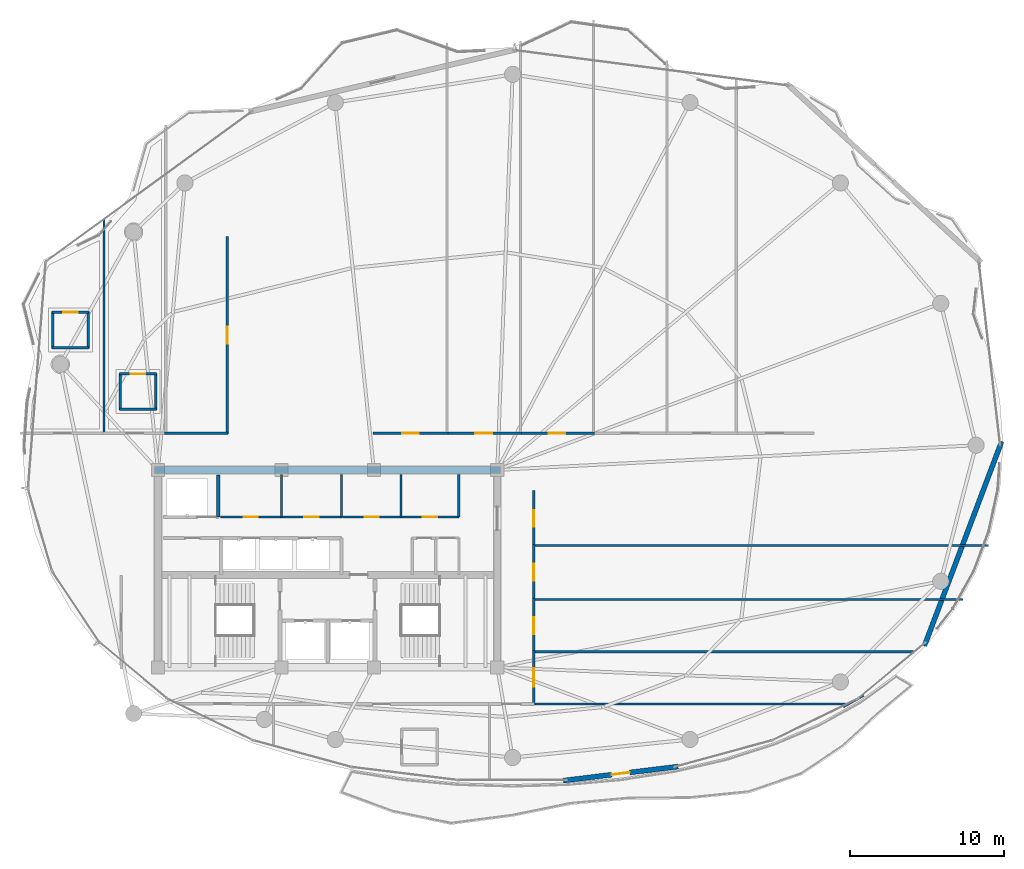
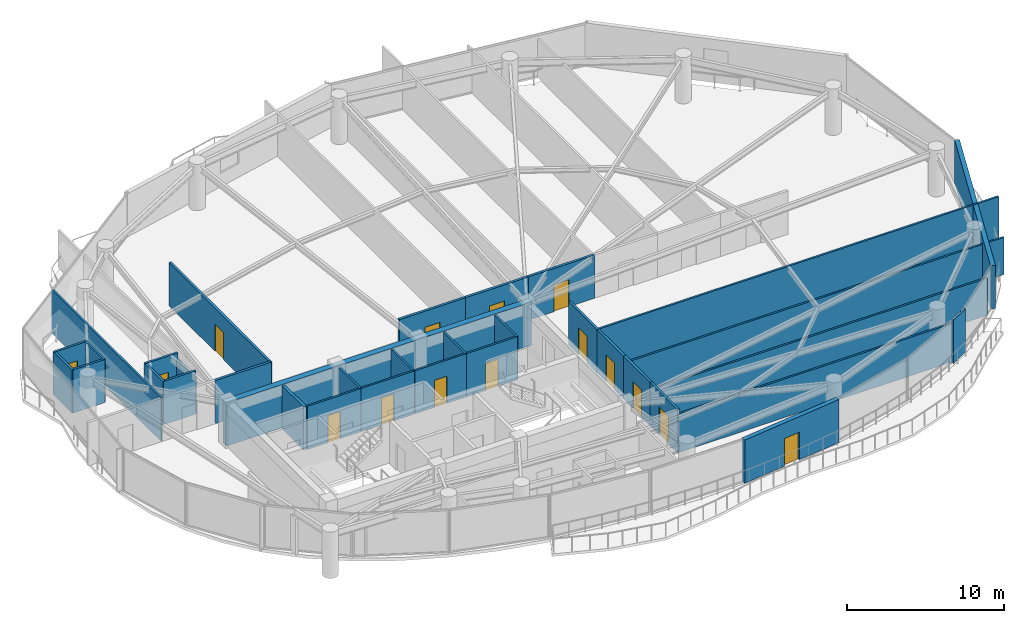
# One storey, part 26 of 31: 35 walls, 15 doors, 15 openings.
"""IFC4 building model written with IfcOpenShell, lengths in metres."""

from ifc_helpers import new_model, si_unit, direction, frame, frame_2d, origin, place, context, subcontext, project, spatial, rectangle, extrude, material, layer, layer_set, type_object, element, fill, save


model = new_model("IFC4")

# Units and contexts
model_context = context("Model", 3, precision=1e-05, world=origin(), true_north=direction((0.0, 1.0)))
body_context = subcontext(model_context, "Body", "Model", "MODEL_VIEW")
ifc_project = project(units=[si_unit("LENGTHUNIT", "METRE"), si_unit("AREAUNIT", "SQUARE_METRE"), si_unit("VOLUMEUNIT", "CUBIC_METRE"), si_unit("PLANEANGLEUNIT", "RADIAN"), si_unit("MASSUNIT", "GRAM", prefix="KILO")], contexts=[model_context])

# Site, building, storey
site_placement = place(None, origin())
site = spatial("IfcSite", under=ifc_project, at=site_placement, CompositionType="ELEMENT")
building_placement = place(site_placement, origin())
building = spatial("IfcBuilding", under=site, at=building_placement, Name="Kazevale Care Tower and Concert Hall", CompositionType="ELEMENT")
storey_placement = place(building_placement, frame((0.0, 0.0, 210.0)))
storey = spatial("IfcBuildingStorey", under=building, at=storey_placement, Name="L55", CompositionType="ELEMENT", Elevation=210.0)

# Wall, opening, door
ifc_material_1 = material(Name="Acoustic Gypsum on Steel Stud", Category="steel")
ifc_layer_1 = layer(ifc_material_1, 0.139892578125)
ifc_layer_set_1 = layer_set([ifc_layer_1], Name="Acoustic Gypsum on Steel Stud")
wall_type_1 = type_object("IfcWallType", Name="Acoustic Care & Suite Partition 140", PredefinedType="PARTITIONING", material=ifc_layer_set_1)
wall_1_placement = place(storey_placement, frame((26.050048828125, 33.35009765625, 0.0), z_axis=(0.0, 0.0, 1.0), x_axis=(1.0, 0.0, 0.0)))
wall_1 = element("IfcWall", 1, at=wall_1_placement, inside=storey, type_object=wall_type_1, Name="wall:L55:c_rpl1_s", PredefinedType="PARTITIONING", context=body_context, shape_type="SweptSolid", body=[
    extrude(rectangle(XDim=3.949951171875, YDim=0.139892578125, at=frame_2d((1.97509765625, 0.0))), origin(), (0.0, 0.0, 1.0), 3.360107421875),
])
opening_1_placement = place(wall_1_placement, frame((1.514892578125, 0.0, 0.0)))
opening_1 = element("IfcOpeningElement", 2, at=opening_1_placement, cuts=wall_1, Name="Opening ID-900", PredefinedType="OPENING", context=body_context, shape_type="SweptSolid", body=[
    extrude(rectangle(XDim=0.919921875, YDim=2.10009765625, at=frame_2d((0.4599609375, 1.050048828125))), frame((0.0, 0.079833984375, 0.0), z_axis=(0.0, -1.0, 0.0), x_axis=(1.0, 0.0, 0.0)), (0.0, 0.0, 1.0), 0.159912109375),
])
ifc_material_2 = material(Name="Oak Timber Fire Leaf", Category="wood")
door_type_1 = type_object("IfcDoorType", Name="Bathroom & Service Door 920x2100", OperationType="NOTDEFINED", PredefinedType="DOOR", material=ifc_material_2)
door_1_placement = place(opening_1_placement, origin())
door_1 = element("IfcDoor", 3, at=door_1_placement, inside=storey, type_object=door_type_1, Name="door:L55:d_rpl1", OperationType="SINGLE_SWING_LEFT", OverallHeight=2.10009765625, OverallWidth=0.919921875, PredefinedType="DOOR", context=body_context, shape_type="SweptSolid", body=[
    extrude(rectangle(XDim=0.919921875, YDim=2.10009765625, at=frame_2d((0.4599609375, 1.050048828125))), frame((0.0, 0.02490234375, 0.0), z_axis=(0.0, -1.0, 0.0), x_axis=(1.0, 0.0, 0.0)), (0.0, 0.0, 1.0), 0.050048828125),
])
fill(opening_1, door_1)

wall_2_placement = place(storey_placement, frame((30.0, 33.35009765625, 0.0), z_axis=(0.0, 0.0, 1.0), x_axis=(1.0, 0.0, 0.0)))
wall_2 = element("IfcWall", 4, at=wall_2_placement, inside=storey, type_object=wall_type_1, Name="wall:L55:c_rpl2_s", PredefinedType="PARTITIONING", context=body_context, shape_type="SweptSolid", body=[
    extrude(rectangle(XDim=3.919921875, YDim=0.139892578125, at=frame_2d((1.9599609375, 0.0))), origin(), (0.0, 0.0, 1.0), 3.360107421875),
])
opening_2_placement = place(wall_2_placement, frame((1.5, 0.0, 0.0)))
opening_2 = element("IfcOpeningElement", 5, at=opening_2_placement, cuts=wall_2, Name="Opening ID-900", PredefinedType="OPENING", context=body_context, shape_type="SweptSolid", body=[
    extrude(rectangle(XDim=0.919921875, YDim=2.10009765625, at=frame_2d((0.4599609375, 1.050048828125))), frame((0.0, 0.079833984375, 0.0), z_axis=(0.0, -1.0, 0.0), x_axis=(1.0, 0.0, 0.0)), (0.0, 0.0, 1.0), 0.159912109375),
])
door_2_placement = place(opening_2_placement, origin())
door_2 = element("IfcDoor", 6, at=door_2_placement, inside=storey, type_object=door_type_1, Name="door:L55:d_rpl2", OperationType="SINGLE_SWING_RIGHT", OverallHeight=2.10009765625, OverallWidth=0.919921875, PredefinedType="DOOR", context=body_context, shape_type="SweptSolid", body=[
    extrude(rectangle(XDim=0.919921875, YDim=2.10009765625, at=frame_2d((0.4599609375, 1.050048828125))), frame((0.0, 0.02490234375, 0.0), z_axis=(0.0, -1.0, 0.0), x_axis=(1.0, 0.0, 0.0)), (0.0, 0.0, 1.0), 0.050048828125),
])
fill(opening_2, door_2)

# Walls
for number, where, z_axis, x_axis, name in (
    (7, (30.0, 33.35009765625, 0.0), (0.0, 0.0, 1.0), (0.0, 1.0, 0.0), "wall:L55:c_rpl_m"),
    (8, (33.89990234375, 33.35009765625, 0.0), (0.0, 0.0, 1.0), (0.0, 1.0, 0.0), "wall:L55:c_rpl_e"),
):
    element("IfcWall", number, at=place(storey_placement, frame(where, z_axis=z_axis, x_axis=x_axis)), inside=storey, type_object=wall_type_1, Name=name, PredefinedType="PARTITIONING", context=body_context, shape_type="SweptSolid", body=[
        extrude(rectangle(XDim=2.75, YDim=0.139892578125, at=frame_2d((1.375, 0.0))), origin(), (0.0, 0.0, 1.0), 3.360107421875),
    ])

# Wall, opening, door
wall_3_placement = place(storey_placement, frame((33.97998046875, 33.35009765625, 0.0), z_axis=(0.0, 0.0, 1.0), x_axis=(1.0, 0.0, 0.0)))
wall_3 = element("IfcWall", 9, at=wall_3_placement, inside=storey, type_object=wall_type_1, Name="wall:L55:c_rpm1_s", PredefinedType="PARTITIONING", context=body_context, shape_type="SweptSolid", body=[
    extrude(rectangle(XDim=3.77001953125, YDim=0.139892578125, at=frame_2d((1.885009765625, 0.0))), origin(), (0.0, 0.0, 1.0), 3.360107421875),
])
opening_3_placement = place(wall_3_placement, frame((1.425048828125, 0.0, 0.0)))
opening_3 = element("IfcOpeningElement", 10, at=opening_3_placement, cuts=wall_3, Name="Opening ID-900", PredefinedType="OPENING", context=body_context, shape_type="SweptSolid", body=[
    extrude(rectangle(XDim=0.919921875, YDim=2.10009765625, at=frame_2d((0.4599609375, 1.050048828125))), frame((0.0, 0.079833984375, 0.0), z_axis=(0.0, -1.0, 0.0), x_axis=(1.0, 0.0, 0.0)), (0.0, 0.0, 1.0), 0.159912109375),
])
door_3_placement = place(opening_3_placement, origin())
door_3 = element("IfcDoor", 11, at=door_3_placement, inside=storey, type_object=door_type_1, Name="door:L55:d_rpm1", OperationType="SINGLE_SWING_LEFT", OverallHeight=2.10009765625, OverallWidth=0.919921875, PredefinedType="DOOR", context=body_context, shape_type="SweptSolid", body=[
    extrude(rectangle(XDim=0.919921875, YDim=2.10009765625, at=frame_2d((0.4599609375, 1.050048828125))), frame((0.0, 0.02490234375, 0.0), z_axis=(0.0, -1.0, 0.0), x_axis=(1.0, 0.0, 0.0)), (0.0, 0.0, 1.0), 0.050048828125),
])
fill(opening_3, door_3)

wall_4_placement = place(storey_placement, frame((37.75, 33.35009765625, 0.0), z_axis=(0.0, 0.0, 1.0), x_axis=(1.0, 0.0, 0.0)))
wall_4 = element("IfcWall", 12, at=wall_4_placement, inside=storey, type_object=wall_type_1, Name="wall:L55:c_rpm2_s", PredefinedType="PARTITIONING", context=body_context, shape_type="SweptSolid", body=[
    extrude(rectangle(XDim=3.77001953125, YDim=0.139892578125, at=frame_2d((1.885009765625, 0.0))), origin(), (0.0, 0.0, 1.0), 3.360107421875),
])
opening_4_placement = place(wall_4_placement, frame((1.425048828125, 0.0, 0.0)))
opening_4 = element("IfcOpeningElement", 13, at=opening_4_placement, cuts=wall_4, Name="Opening ID-900", PredefinedType="OPENING", context=body_context, shape_type="SweptSolid", body=[
    extrude(rectangle(XDim=0.919921875, YDim=2.10009765625, at=frame_2d((0.4599609375, 1.050048828125))), frame((0.0, 0.079833984375, 0.0), z_axis=(0.0, -1.0, 0.0), x_axis=(1.0, 0.0, 0.0)), (0.0, 0.0, 1.0), 0.159912109375),
])
door_4_placement = place(opening_4_placement, origin())
door_4 = element("IfcDoor", 14, at=door_4_placement, inside=storey, type_object=door_type_1, Name="door:L55:d_rpm2", OperationType="SINGLE_SWING_RIGHT", OverallHeight=2.10009765625, OverallWidth=0.919921875, PredefinedType="DOOR", context=body_context, shape_type="SweptSolid", body=[
    extrude(rectangle(XDim=0.919921875, YDim=2.10009765625, at=frame_2d((0.4599609375, 1.050048828125))), frame((0.0, 0.02490234375, 0.0), z_axis=(0.0, -1.0, 0.0), x_axis=(1.0, 0.0, 0.0)), (0.0, 0.0, 1.0), 0.050048828125),
])
fill(opening_4, door_4)

# Walls
for number, where, z_axis, x_axis, name in (
    (15, (37.75, 33.35009765625, 0.0), (0.0, 0.0, 1.0), (0.0, 1.0, 0.0), "wall:L55:c_rpm_m"),
    (16, (41.5, 33.35009765625, 0.0), (0.0, 0.0, 1.0), (0.0, 1.0, 0.0), "wall:L55:c_rpm_e"),
):
    element("IfcWall", number, at=place(storey_placement, frame(where, z_axis=z_axis, x_axis=x_axis)), inside=storey, type_object=wall_type_1, Name=name, PredefinedType="PARTITIONING", context=body_context, shape_type="SweptSolid", body=[
        extrude(rectangle(XDim=2.75, YDim=0.139892578125, at=frame_2d((1.375, 0.0))), origin(), (0.0, 0.0, 1.0), 3.360107421875),
    ])
wall_5_placement = place(storey_placement, frame((18.5, 52.64501953125, 0.0), z_axis=(0.0, 0.0, 1.0), x_axis=(0.0, -1.0, 0.0)))
element("IfcWall", 17, at=wall_5_placement, inside=storey, type_object=wall_type_1, Name="wall:L55:auto_019", PredefinedType="PARTITIONING", context=body_context, shape_type="SweptSolid", body=[
    extrude(rectangle(XDim=13.89990234375, YDim=0.139892578125, at=frame_2d((6.949951171875, 0.0))), origin(), (0.0, 0.0, 1.0), 3.360107421875),
])
wall_6_placement = place(storey_placement, frame((46.344970703125, 24.610107421875, 0.0), z_axis=(0.0, 0.0, 1.0), x_axis=(1.0, 0.0, 0.0)))
element("IfcWall", 18, at=wall_6_placement, inside=storey, type_object=wall_type_1, Name="wall:L55:auto_026", PredefinedType="PARTITIONING", context=body_context, shape_type="SweptSolid", body=[
    extrude(rectangle(XDim=24.692626953125, YDim=0.139892578125, at=frame_2d((12.34619140625, 0.0))), origin(), (0.0, 0.0, 1.0), 2.889892578125),
])
wall_7_placement = place(storey_placement, frame((66.683837890625, 21.22509765625, 0.0), z_axis=(0.0, 0.0, 1.0), x_axis=(-1.0, 0.0, 0.0)))
element("IfcWall", 19, at=wall_7_placement, inside=storey, type_object=wall_type_1, Name="wall:L55:auto_027", PredefinedType="PARTITIONING", context=body_context, shape_type="SweptSolid", body=[
    extrude(rectangle(XDim=20.3388671875, YDim=0.139892578125, at=frame_2d((10.16943359375, 0.0))), origin(), (0.0, 0.0, 1.0), 2.99609375),
])
wall_8_placement = place(storey_placement, frame((67.748046875, 21.77001953125, 0.0), z_axis=(0.0, 0.0, 1.0), x_axis=(-0.871352238731, -0.490658003153, 0.0)))
element("IfcWall", 20, at=wall_8_placement, inside=storey, type_object=wall_type_1, Name="wall:L55:auto_028", PredefinedType="PARTITIONING", context=body_context, shape_type="SweptSolid", body=[
    extrude(rectangle(XDim=1.48974609375, YDim=0.139892578125, at=frame_2d((0.744873046875, 0.0))), origin(), (0.0, 0.0, 1.0), 3.360107421875),
])
wall_9_placement = place(storey_placement, frame((46.344970703125, 28.0, 0.0), z_axis=(0.0, 0.0, 1.0), x_axis=(1.0, 0.0, 0.0)))
element("IfcWall", 21, at=wall_9_placement, inside=storey, type_object=wall_type_1, Name="wall:L55:auto_029", PredefinedType="PARTITIONING", context=body_context, shape_type="SweptSolid", body=[
    extrude(rectangle(XDim=27.863037109375, YDim=0.139892578125, at=frame_2d((13.931640625, 0.0))), origin(), (0.0, 0.0, 1.0), 2.889892578125),
])
wall_10_placement = place(storey_placement, frame((46.344970703125, 31.5, 0.0), z_axis=(0.0, 0.0, 1.0), x_axis=(1.0, 0.0, 0.0)))
element("IfcWall", 22, at=wall_10_placement, inside=storey, type_object=wall_type_1, Name="wall:L55:auto_030", PredefinedType="PARTITIONING", context=body_context, shape_type="SweptSolid", body=[
    extrude(rectangle(XDim=29.52001953125, YDim=0.139892578125, at=frame_2d((14.760009765625, 0.0))), origin(), (0.0, 0.0, 1.0), 3.360107421875),
])
ifc_material_3 = material(Name="Concrete C50", Category="concrete")
ifc_layer_2 = layer(ifc_material_3, 0.449951171875)
ifc_layer_set_2 = layer_set([ifc_layer_2], Name="Concrete C50")
wall_type_2 = type_object("IfcWallType", Name="Core Shear Wall 450 C50", PredefinedType="SHEAR", material=ifc_layer_set_2)
wall_11_placement = place(storey_placement, frame((21.77490234375, 36.39990234375, 0.0), z_axis=(0.0, 0.0, 1.0), x_axis=(1.0, 0.0, 0.0)))
element("IfcWall", 23, at=wall_11_placement, inside=storey, type_object=wall_type_2, Name="wall:L55:core:N", PredefinedType="SHEAR", context=body_context, shape_type="SweptSolid", body=[
    extrude(rectangle(XDim=22.4501953125, YDim=0.449951171875, at=frame_2d((11.22509765625, 0.0))), origin(), (0.0, 0.0, 1.0), 3.360107421875),
])
ifc_material_4 = material(Name="Concrete C40", Category="concrete")
ifc_layer_3 = layer(ifc_material_4, 0.219970703125)
ifc_layer_set_3 = layer_set([ifc_layer_3], Name="Concrete C40")
wall_type_3 = type_object("IfcWallType", Name="Elevator Hoistway Shaft Wall 220", PredefinedType="SOLIDWALL", material=ifc_layer_set_3)
wall_12_placement = place(storey_placement, frame((25.919921875, 33.35009765625, 0.0), z_axis=(0.0, 0.0, 1.0), x_axis=(0.0, 1.0, 0.0)))
element("IfcWall", 24, at=wall_12_placement, inside=storey, type_object=wall_type_3, Name="wall:L55:c_svl_e", PredefinedType="SOLIDWALL", context=body_context, shape_type="SweptSolid", body=[
    extrude(rectangle(XDim=2.72998046875, YDim=0.219970703125, at=frame_2d((1.364990234375, 0.0))), origin(), (0.0, 0.0, 1.0), 3.360107421875),
])

# Wall, opening, door
ifc_material_5 = material(Name="Concrete C40 and Acoustic Gypsum", Category="concrete")
ifc_layer_4 = layer(ifc_material_5, 0.179931640625)
ifc_layer_set_4 = layer_set([ifc_layer_4], Name="Concrete C40 and Acoustic Gypsum")
wall_type_4 = type_object("IfcWallType", Name="Fire-Rated Corridor & Party Wall 180", PredefinedType="PARTITIONING", material=ifc_layer_set_4)
wall_13_placement = place(storey_placement, frame((26.5, 38.7451171875, 0.0), z_axis=(0.0, 0.0, 1.0), x_axis=(0.0, 1.0, 0.0)))
wall_13 = element("IfcWall", 25, at=wall_13_placement, inside=storey, type_object=wall_type_4, Name="wall:L55:auto_003", PredefinedType="PARTITIONING", context=body_context, shape_type="SweptSolid", body=[
    extrude(rectangle(XDim=12.784912109375, YDim=0.179931640625, at=frame_2d((6.392578125, 0.0))), origin(), (0.0, 0.0, 1.0), 3.360107421875),
])
opening_5_placement = place(wall_13_placement, frame((5.843017578125, 0.0, 0.0)))
opening_5 = element("IfcOpeningElement", 26, at=opening_5_placement, cuts=wall_13, Name="Opening ID-1100", PredefinedType="OPENING", context=body_context, shape_type="SweptSolid", body=[
    extrude(rectangle(XDim=1.10009765625, YDim=2.10009765625, at=frame_2d((0.550048828125, 1.050048828125))), frame((0.0, 0.099853515625, 0.0), z_axis=(0.0, -1.0, 0.0), x_axis=(1.0, 0.0, 0.0)), (0.0, 0.0, 1.0), 0.199951171875),
])
door_type_2 = type_object("IfcDoorType", Name="Care Bedroom Accessible Door 1100x2100", OperationType="NOTDEFINED", PredefinedType="DOOR", material=ifc_material_2)
door_5_placement = place(opening_5_placement, origin())
door_5 = element("IfcDoor", 27, at=door_5_placement, inside=storey, type_object=door_type_2, Name="door:L55:ad_003", OperationType="SINGLE_SWING_LEFT", OverallHeight=2.10009765625, OverallWidth=1.10009765625, PredefinedType="DOOR", context=body_context, shape_type="SweptSolid", body=[
    extrude(rectangle(XDim=1.10009765625, YDim=2.10009765625, at=frame_2d((0.550048828125, 1.050048828125))), frame((0.0, 0.02490234375, 0.0), z_axis=(0.0, -1.0, 0.0), x_axis=(1.0, 0.0, 0.0)), (0.0, 0.0, 1.0), 0.050048828125),
])
fill(opening_5, door_5)

# Wall
wall_14_placement = place(storey_placement, frame((22.43505859375, 38.77490234375, 0.0), z_axis=(0.0, 0.0, 1.0), x_axis=(1.0, 0.0, 0.0)))
element("IfcWall", 28, at=wall_14_placement, inside=storey, type_object=wall_type_4, Name="wall:L55:auto_004", PredefinedType="PARTITIONING", context=body_context, shape_type="SweptSolid", body=[
    extrude(rectangle(XDim=4.094970703125, YDim=0.179931640625, at=frame_2d((2.04736328125, 0.0))), origin(), (0.0, 0.0, 1.0), 3.360107421875),
])

# Wall, opening, door
wall_15_placement = place(storey_placement, frame((35.93505859375, 38.77490234375, 0.0), z_axis=(0.0, 0.0, 1.0), x_axis=(1.0, 0.0, 0.0)))
wall_15 = element("IfcWall", 29, at=wall_15_placement, inside=storey, type_object=wall_type_4, Name="wall:L55:auto_005", PredefinedType="PARTITIONING", context=body_context, shape_type="SweptSolid", body=[
    extrude(rectangle(XDim=4.8798828125, YDim=0.179931640625, at=frame_2d((2.43994140625, 0.0))), origin(), (0.0, 0.0, 1.0), 3.360107421875),
])
opening_6_placement = place(wall_15_placement, frame((1.889892578125, 0.0, 0.0)))
opening_6 = element("IfcOpeningElement", 30, at=opening_6_placement, cuts=wall_15, Name="Opening ID-1100", PredefinedType="OPENING", context=body_context, shape_type="SweptSolid", body=[
    extrude(rectangle(XDim=1.10009765625, YDim=2.10009765625, at=frame_2d((0.550048828125, 1.050048828125))), frame((0.0, 0.099853515625, 0.0), z_axis=(0.0, -1.0, 0.0), x_axis=(1.0, 0.0, 0.0)), (0.0, 0.0, 1.0), 0.199951171875),
])
door_6_placement = place(opening_6_placement, origin())
door_6 = element("IfcDoor", 31, at=door_6_placement, inside=storey, type_object=door_type_2, Name="door:L55:ad_005", OperationType="SINGLE_SWING_LEFT", OverallHeight=2.10009765625, OverallWidth=1.10009765625, PredefinedType="DOOR", context=body_context, shape_type="SweptSolid", body=[
    extrude(rectangle(XDim=1.10009765625, YDim=2.10009765625, at=frame_2d((0.550048828125, 1.050048828125))), frame((0.0, 0.02490234375, 0.0), z_axis=(0.0, -1.0, 0.0), x_axis=(1.0, 0.0, 0.0)), (0.0, 0.0, 1.0), 0.050048828125),
])
fill(opening_6, door_6)

wall_16_placement = place(storey_placement, frame((40.68505859375, 38.77490234375, 0.0), z_axis=(0.0, 0.0, 1.0), x_axis=(1.0, 0.0, 0.0)))
wall_16 = element("IfcWall", 32, at=wall_16_placement, inside=storey, type_object=wall_type_4, Name="wall:L55:auto_006", PredefinedType="PARTITIONING", context=body_context, shape_type="SweptSolid", body=[
    extrude(rectangle(XDim=4.8798828125, YDim=0.179931640625, at=frame_2d((2.43994140625, 0.0))), origin(), (0.0, 0.0, 1.0), 3.360107421875),
])
opening_7_placement = place(wall_16_placement, frame((1.889892578125, 0.0, 0.0)))
opening_7 = element("IfcOpeningElement", 33, at=opening_7_placement, cuts=wall_16, Name="Opening ID-1100", PredefinedType="OPENING", context=body_context, shape_type="SweptSolid", body=[
    extrude(rectangle(XDim=1.10009765625, YDim=2.10009765625, at=frame_2d((0.550048828125, 1.050048828125))), frame((0.0, 0.099853515625, 0.0), z_axis=(0.0, -1.0, 0.0), x_axis=(1.0, 0.0, 0.0)), (0.0, 0.0, 1.0), 0.199951171875),
])
door_7_placement = place(opening_7_placement, origin())
door_7 = element("IfcDoor", 34, at=door_7_placement, inside=storey, type_object=door_type_2, Name="door:L55:ad_006", OperationType="SINGLE_SWING_LEFT", OverallHeight=2.10009765625, OverallWidth=1.10009765625, PredefinedType="DOOR", context=body_context, shape_type="SweptSolid", body=[
    extrude(rectangle(XDim=1.10009765625, YDim=2.10009765625, at=frame_2d((0.550048828125, 1.050048828125))), frame((0.0, 0.02490234375, 0.0), z_axis=(0.0, -1.0, 0.0), x_axis=(1.0, 0.0, 0.0)), (0.0, 0.0, 1.0), 0.050048828125),
])
fill(opening_7, door_7)

wall_17_placement = place(storey_placement, frame((45.43505859375, 38.77490234375, 0.0), z_axis=(0.0, 0.0, 1.0), x_axis=(1.0, 0.0, 0.0)))
wall_17 = element("IfcWall", 35, at=wall_17_placement, inside=storey, type_object=wall_type_4, Name="wall:L55:auto_007", PredefinedType="PARTITIONING", context=body_context, shape_type="SweptSolid", body=[
    extrude(rectangle(XDim=4.8798828125, YDim=0.179931640625, at=frame_2d((2.43994140625, 0.0))), origin(), (0.0, 0.0, 1.0), 3.360107421875),
])
opening_8_placement = place(wall_17_placement, frame((1.889892578125, 0.0, 0.0)))
opening_8 = element("IfcOpeningElement", 36, at=opening_8_placement, cuts=wall_17, Name="Opening ID-1100", PredefinedType="OPENING", context=body_context, shape_type="SweptSolid", body=[
    extrude(rectangle(XDim=1.10009765625, YDim=2.10009765625, at=frame_2d((0.550048828125, 1.050048828125))), frame((0.0, 0.099853515625, 0.0), z_axis=(0.0, -1.0, 0.0), x_axis=(1.0, 0.0, 0.0)), (0.0, 0.0, 1.0), 0.199951171875),
])
door_8_placement = place(opening_8_placement, origin())
door_8 = element("IfcDoor", 37, at=door_8_placement, inside=storey, type_object=door_type_2, Name="door:L55:ad_007", OperationType="SINGLE_SWING_LEFT", OverallHeight=2.10009765625, OverallWidth=1.10009765625, PredefinedType="DOOR", context=body_context, shape_type="SweptSolid", body=[
    extrude(rectangle(XDim=1.10009765625, YDim=2.10009765625, at=frame_2d((0.550048828125, 1.050048828125))), frame((0.0, 0.02490234375, 0.0), z_axis=(0.0, -1.0, 0.0), x_axis=(1.0, 0.0, 0.0)), (0.0, 0.0, 1.0), 0.050048828125),
])
fill(opening_8, door_8)

wall_18_placement = place(storey_placement, frame((46.375, 24.675048828125, 0.0), z_axis=(0.0, 0.0, 1.0), x_axis=(0.0, -1.0, 0.0)))
wall_18 = element("IfcWall", 38, at=wall_18_placement, inside=storey, type_object=wall_type_4, Name="wall:L55:auto_011", PredefinedType="PARTITIONING", context=body_context, shape_type="SweptSolid", body=[
    extrude(rectangle(XDim=3.47998046875, YDim=0.179931640625, at=frame_2d((1.739990234375, 0.0))), origin(), (0.0, 0.0, 1.0), 3.360107421875),
])
opening_9_placement = place(wall_18_placement, frame((1.139892578125, 0.0, 0.0)))
opening_9 = element("IfcOpeningElement", 39, at=opening_9_placement, cuts=wall_18, Name="Opening ID-1200", PredefinedType="OPENING", context=body_context, shape_type="SweptSolid", body=[
    extrude(rectangle(XDim=1.199951171875, YDim=2.14990234375, at=frame_2d((0.60009765625, 1.074951171875))), frame((0.0, 0.099853515625, 0.0), z_axis=(0.0, -1.0, 0.0), x_axis=(1.0, 0.0, 0.0)), (0.0, 0.0, 1.0), 0.199951171875),
])
door_type_3 = type_object("IfcDoorType", Name="Clinical & Therapy Door 1200x2150", OperationType="NOTDEFINED", PredefinedType="DOOR", material=ifc_material_2)
door_9_placement = place(opening_9_placement, origin())
door_9 = element("IfcDoor", 40, at=door_9_placement, inside=storey, type_object=door_type_3, Name="door:L55:ad_011", OperationType="SINGLE_SWING_LEFT", OverallHeight=2.14990234375, OverallWidth=1.199951171875, PredefinedType="DOOR", context=body_context, shape_type="SweptSolid", body=[
    extrude(rectangle(XDim=1.199951171875, YDim=2.14990234375, at=frame_2d((0.60009765625, 1.074951171875))), frame((0.0, 0.02490234375, 0.0), z_axis=(0.0, -1.0, 0.0), x_axis=(1.0, 0.0, 0.0)), (0.0, 0.0, 1.0), 0.050048828125),
])
fill(opening_9, door_9)

wall_19_placement = place(storey_placement, frame((46.375, 28.06494140625, 0.0), z_axis=(0.0, 0.0, 1.0), x_axis=(0.0, -1.0, 0.0)))
wall_19 = element("IfcWall", 41, at=wall_19_placement, inside=storey, type_object=wall_type_4, Name="wall:L55:auto_012", PredefinedType="PARTITIONING", context=body_context, shape_type="SweptSolid", body=[
    extrude(rectangle(XDim=3.52001953125, YDim=0.179931640625, at=frame_2d((1.760009765625, 0.0))), origin(), (0.0, 0.0, 1.0), 3.360107421875),
])
opening_10_placement = place(wall_19_placement, frame((1.2099609375, 0.0, 0.0)))
opening_10 = element("IfcOpeningElement", 42, at=opening_10_placement, cuts=wall_19, Name="Opening ID-1100", PredefinedType="OPENING", context=body_context, shape_type="SweptSolid", body=[
    extrude(rectangle(XDim=1.10009765625, YDim=2.10009765625, at=frame_2d((0.550048828125, 1.050048828125))), frame((0.0, 0.099853515625, 0.0), z_axis=(0.0, -1.0, 0.0), x_axis=(1.0, 0.0, 0.0)), (0.0, 0.0, 1.0), 0.199951171875),
])
door_10_placement = place(opening_10_placement, origin())
door_10 = element("IfcDoor", 43, at=door_10_placement, inside=storey, type_object=door_type_2, Name="door:L55:ad_012", OperationType="SINGLE_SWING_LEFT", OverallHeight=2.10009765625, OverallWidth=1.10009765625, PredefinedType="DOOR", context=body_context, shape_type="SweptSolid", body=[
    extrude(rectangle(XDim=1.10009765625, YDim=2.10009765625, at=frame_2d((0.550048828125, 1.050048828125))), frame((0.0, 0.02490234375, 0.0), z_axis=(0.0, -1.0, 0.0), x_axis=(1.0, 0.0, 0.0)), (0.0, 0.0, 1.0), 0.050048828125),
])
fill(opening_10, door_10)

wall_20_placement = place(storey_placement, frame((46.375, 31.56494140625, 0.0), z_axis=(0.0, 0.0, 1.0), x_axis=(0.0, -1.0, 0.0)))
wall_20 = element("IfcWall", 44, at=wall_20_placement, inside=storey, type_object=wall_type_4, Name="wall:L55:auto_013", PredefinedType="PARTITIONING", context=body_context, shape_type="SweptSolid", body=[
    extrude(rectangle(XDim=3.6298828125, YDim=0.179931640625, at=frame_2d((1.81494140625, 0.0))), origin(), (0.0, 0.0, 1.0), 3.360107421875),
])
opening_11_placement = place(wall_20_placement, frame((1.264892578125, 0.0, 0.0)))
opening_11 = element("IfcOpeningElement", 45, at=opening_11_placement, cuts=wall_20, Name="Opening ID-1100", PredefinedType="OPENING", context=body_context, shape_type="SweptSolid", body=[
    extrude(rectangle(XDim=1.10009765625, YDim=2.10009765625, at=frame_2d((0.550048828125, 1.050048828125))), frame((0.0, 0.099853515625, 0.0), z_axis=(0.0, -1.0, 0.0), x_axis=(1.0, 0.0, 0.0)), (0.0, 0.0, 1.0), 0.199951171875),
])
door_11_placement = place(opening_11_placement, origin())
door_11 = element("IfcDoor", 46, at=door_11_placement, inside=storey, type_object=door_type_2, Name="door:L55:ad_013", OperationType="SINGLE_SWING_LEFT", OverallHeight=2.10009765625, OverallWidth=1.10009765625, PredefinedType="DOOR", context=body_context, shape_type="SweptSolid", body=[
    extrude(rectangle(XDim=1.10009765625, YDim=2.10009765625, at=frame_2d((0.550048828125, 1.050048828125))), frame((0.0, 0.02490234375, 0.0), z_axis=(0.0, -1.0, 0.0), x_axis=(1.0, 0.0, 0.0)), (0.0, 0.0, 1.0), 0.050048828125),
])
fill(opening_11, door_11)

wall_21_placement = place(storey_placement, frame((46.375, 35.06494140625, 0.0), z_axis=(0.0, 0.0, 1.0), x_axis=(0.0, -1.0, 0.0)))
wall_21 = element("IfcWall", 47, at=wall_21_placement, inside=storey, type_object=wall_type_4, Name="wall:L55:auto_014", PredefinedType="PARTITIONING", context=body_context, shape_type="SweptSolid", body=[
    extrude(rectangle(XDim=3.6298828125, YDim=0.179931640625, at=frame_2d((1.81494140625, 0.0))), origin(), (0.0, 0.0, 1.0), 3.360107421875),
])
opening_12_placement = place(wall_21_placement, frame((1.264892578125, 0.0, 0.0)))
opening_12 = element("IfcOpeningElement", 48, at=opening_12_placement, cuts=wall_21, Name="Opening ID-1100", PredefinedType="OPENING", context=body_context, shape_type="SweptSolid", body=[
    extrude(rectangle(XDim=1.10009765625, YDim=2.10009765625, at=frame_2d((0.550048828125, 1.050048828125))), frame((0.0, 0.099853515625, 0.0), z_axis=(0.0, -1.0, 0.0), x_axis=(1.0, 0.0, 0.0)), (0.0, 0.0, 1.0), 0.199951171875),
])
door_12_placement = place(opening_12_placement, origin())
door_12 = element("IfcDoor", 49, at=door_12_placement, inside=storey, type_object=door_type_2, Name="door:L55:ad_014", OperationType="SINGLE_SWING_LEFT", OverallHeight=2.10009765625, OverallWidth=1.10009765625, PredefinedType="DOOR", context=body_context, shape_type="SweptSolid", body=[
    extrude(rectangle(XDim=1.10009765625, YDim=2.10009765625, at=frame_2d((0.550048828125, 1.050048828125))), frame((0.0, 0.02490234375, 0.0), z_axis=(0.0, -1.0, 0.0), x_axis=(1.0, 0.0, 0.0)), (0.0, 0.0, 1.0), 0.050048828125),
])
fill(opening_12, door_12)

# Wall
ifc_layer_5 = layer(ifc_material_1, 0.159912109375)
ifc_layer_set_5 = layer_set([ifc_layer_5], Name="Acoustic Gypsum on Steel Stud")
wall_type_5 = type_object("IfcWallType", Name="Moisture-Resistant Bathroom Plumbing Wall 160", PredefinedType="PLUMBINGWALL", material=ifc_layer_set_5)
wall_22_placement = place(storey_placement, frame((15.1279296875, 44.324951171875, 0.0), z_axis=(0.0, 0.0, 1.0), x_axis=(1.0, 0.0, 0.0)))
element("IfcWall", 50, at=wall_22_placement, inside=storey, type_object=wall_type_5, Name="wall:L55:nb1_ens_ws", PredefinedType="PLUMBINGWALL", context=body_context, shape_type="SweptSolid", body=[
    extrude(rectangle(XDim=2.380126953125, YDim=0.159912109375, at=frame_2d((1.18994140625, 0.0))), origin(), (0.0, 0.0, 1.0), 3.360107421875),
])

# Wall, opening, door
wall_23_placement = place(storey_placement, frame((15.1279296875, 46.625, 0.0), z_axis=(0.0, 0.0, 1.0), x_axis=(1.0, 0.0, 0.0)))
wall_23 = element("IfcWall", 51, at=wall_23_placement, inside=storey, type_object=wall_type_5, Name="wall:L55:nb1_ens_wn", PredefinedType="PLUMBINGWALL", context=body_context, shape_type="SweptSolid", body=[
    extrude(rectangle(XDim=2.380126953125, YDim=0.159912109375, at=frame_2d((1.18994140625, 0.0))), origin(), (0.0, 0.0, 1.0), 3.360107421875),
])
opening_13_placement = place(wall_23_placement, frame((0.739990234375, 0.0, 0.0)))
opening_13 = element("IfcOpeningElement", 52, at=opening_13_placement, cuts=wall_23, Name="Opening ID-900", PredefinedType="OPENING", context=body_context, shape_type="SweptSolid", body=[
    extrude(rectangle(XDim=0.919921875, YDim=2.10009765625, at=frame_2d((0.4599609375, 1.050048828125))), frame((0.0, 0.08984375, 0.0), z_axis=(0.0, -1.0, 0.0), x_axis=(1.0, 0.0, 0.0)), (0.0, 0.0, 1.0), 0.179931640625),
])
door_13_placement = place(opening_13_placement, origin())
door_13 = element("IfcDoor", 53, at=door_13_placement, inside=storey, type_object=door_type_1, Name="door:L55:nb1_ens_d", OperationType="SINGLE_SWING_LEFT", OverallHeight=2.10009765625, OverallWidth=0.919921875, PredefinedType="DOOR", context=body_context, shape_type="SweptSolid", body=[
    extrude(rectangle(XDim=0.919921875, YDim=2.10009765625, at=frame_2d((0.4599609375, 1.050048828125))), frame((0.0, 0.02490234375, 0.0), z_axis=(0.0, -1.0, 0.0), x_axis=(1.0, 0.0, 0.0)), (0.0, 0.0, 1.0), 0.050048828125),
])
fill(opening_13, door_13)

# Walls
for number, where, z_axis, x_axis, name in (
    (54, (15.16796875, 44.284912109375, 0.0), (0.0, 0.0, 1.0), (0.0, 1.0, 0.0), "wall:L55:nb1_ens_ww"),
    (55, (17.468017578125, 44.284912109375, 0.0), (0.0, 0.0, 1.0), (0.0, 1.0, 0.0), "wall:L55:nb1_ens_we"),
):
    element("IfcWall", number, at=place(storey_placement, frame(where, z_axis=z_axis, x_axis=x_axis)), inside=storey, type_object=wall_type_5, Name=name, PredefinedType="PLUMBINGWALL", context=body_context, shape_type="SweptSolid", body=[
        extrude(rectangle(XDim=2.380126953125, YDim=0.159912109375, at=frame_2d((1.18994140625, 0.0))), origin(), (0.0, 0.0, 1.0), 3.360107421875),
    ])
wall_24_placement = place(storey_placement, frame((19.510009765625, 40.324951171875, 0.0), z_axis=(0.0, 0.0, 1.0), x_axis=(1.0, 0.0, 0.0)))
element("IfcWall", 56, at=wall_24_placement, inside=storey, type_object=wall_type_5, Name="wall:L55:nb2a_ens_ws", PredefinedType="PLUMBINGWALL", context=body_context, shape_type="SweptSolid", body=[
    extrude(rectangle(XDim=2.3798828125, YDim=0.159912109375, at=frame_2d((1.18994140625, 0.0))), origin(), (0.0, 0.0, 1.0), 3.360107421875),
])

# Wall, opening, door
wall_25_placement = place(storey_placement, frame((19.510009765625, 42.625, 0.0), z_axis=(0.0, 0.0, 1.0), x_axis=(1.0, 0.0, 0.0)))
wall_25 = element("IfcWall", 57, at=wall_25_placement, inside=storey, type_object=wall_type_5, Name="wall:L55:nb2a_ens_wn", PredefinedType="PLUMBINGWALL", context=body_context, shape_type="SweptSolid", body=[
    extrude(rectangle(XDim=2.3798828125, YDim=0.159912109375, at=frame_2d((1.18994140625, 0.0))), origin(), (0.0, 0.0, 1.0), 3.360107421875),
])
opening_14_placement = place(wall_25_placement, frame((0.739990234375, 0.0, 0.0)))
opening_14 = element("IfcOpeningElement", 58, at=opening_14_placement, cuts=wall_25, Name="Opening ID-900", PredefinedType="OPENING", context=body_context, shape_type="SweptSolid", body=[
    extrude(rectangle(XDim=0.919921875, YDim=2.10009765625, at=frame_2d((0.4599609375, 1.050048828125))), frame((0.0, 0.08984375, 0.0), z_axis=(0.0, -1.0, 0.0), x_axis=(1.0, 0.0, 0.0)), (0.0, 0.0, 1.0), 0.179931640625),
])
door_14_placement = place(opening_14_placement, origin())
door_14 = element("IfcDoor", 59, at=door_14_placement, inside=storey, type_object=door_type_1, Name="door:L55:nb2a_ens_d", OperationType="SINGLE_SWING_RIGHT", OverallHeight=2.10009765625, OverallWidth=0.919921875, PredefinedType="DOOR", context=body_context, shape_type="SweptSolid", body=[
    extrude(rectangle(XDim=0.919921875, YDim=2.10009765625, at=frame_2d((0.4599609375, 1.050048828125))), frame((0.0, 0.02490234375, 0.0), z_axis=(0.0, -1.0, 0.0), x_axis=(1.0, 0.0, 0.0)), (0.0, 0.0, 1.0), 0.050048828125),
])
fill(opening_14, door_14)

# Walls
wall_26_placement = place(storey_placement, frame((19.550048828125, 40.284912109375, 0.0), z_axis=(0.0, 0.0, 1.0), x_axis=(0.0, 1.0, 0.0)))
element("IfcWall", 60, at=wall_26_placement, inside=storey, type_object=wall_type_5, Name="wall:L55:nb2a_ens_ww", PredefinedType="PLUMBINGWALL", context=body_context, shape_type="SweptSolid", body=[
    extrude(rectangle(XDim=2.380126953125, YDim=0.159912109375, at=frame_2d((1.18994140625, 0.0))), origin(), (0.0, 0.0, 1.0), 3.360107421875),
])
wall_27_placement = place(storey_placement, frame((21.85009765625, 40.284912109375, 0.0), z_axis=(0.0, 0.0, 1.0), x_axis=(0.0, 1.0, 0.0)))
element("IfcWall", 61, at=wall_27_placement, inside=storey, type_object=wall_type_5, Name="wall:L55:nb2a_ens_we", PredefinedType="PLUMBINGWALL", context=body_context, shape_type="SweptSolid", body=[
    extrude(rectangle(XDim=2.380126953125, YDim=0.159912109375, at=frame_2d((1.18994140625, 0.0))), origin(), (0.0, 0.0, 1.0), 2.889892578125),
])
ifc_material_6 = material(Name="Concrete C40 with Honed Limestone Cladding", Category="masonry")
ifc_layer_6 = layer(ifc_material_6, 0.320068359375)
ifc_layer_set_6 = layer_set([ifc_layer_6], Name="Concrete C40 with Honed Limestone Cladding")
wall_type_6 = type_object("IfcWallType", Name="Tower Honed Limestone Spandrel Wall 320", PredefinedType="STANDARD", material=ifc_layer_set_6)
wall_28_placement = place(storey_placement, frame((76.7119140625, 38.242919921875, 0.0), z_axis=(0.0, 0.0, 1.0), x_axis=(-0.353659523244, -0.935374225441, 0.0)))
element("IfcWall", 62, at=wall_28_placement, inside=storey, type_object=wall_type_6, Name="wall:cw:L55:f01", PredefinedType="STANDARD", context=body_context, shape_type="SweptSolid", body=[
    extrude(rectangle(XDim=14.171630859375, YDim=0.320068359375, at=frame_2d((7.0859375, 0.0))), origin(), (0.0, 0.0, 1.0), 3.360107421875),
])

# Wall, opening, door
wall_29_placement = place(storey_placement, frame((55.72705078125, 17.1650390625, 0.0), z_axis=(0.0, 0.0, 1.0), x_axis=(-0.992559081031, -0.121763995755, 0.0)))
wall_29 = element("IfcWall", 63, at=wall_29_placement, inside=storey, type_object=wall_type_6, Name="wall:L55:bal_host", PredefinedType="STANDARD", context=body_context, shape_type="SweptSolid", body=[
    extrude(rectangle(XDim=7.49072265625, YDim=0.320068359375, at=frame_2d((3.745361328125, 0.0))), origin(), (0.0, 0.0, 1.0), 3.360107421875),
])
opening_15_placement = place(wall_29_placement, frame((3.14501953125, 0.0, 0.0)))
opening_15 = element("IfcOpeningElement", 64, at=opening_15_placement, cuts=wall_29, Name="Opening BD-1200", PredefinedType="OPENING", context=body_context, shape_type="SweptSolid", body=[
    extrude(rectangle(XDim=1.199951171875, YDim=2.14990234375, at=frame_2d((0.60009765625, 1.074951171875))), frame((0.0, 0.169921875, 0.0), z_axis=(0.0, -1.0, 0.0), x_axis=(1.0, 0.0, 0.0)), (0.0, 0.0, 1.0), 0.340087890625),
])
ifc_material_7 = material(Name="Aluminium 6063-T6 and Low-E Glass", Category="aluminium")
door_type_4 = type_object("IfcDoorType", Name="Sheltered Balcony Glazed Door 1200x2150", OperationType="NOTDEFINED", PredefinedType="DOOR", material=ifc_material_7)
door_15_placement = place(opening_15_placement, origin())
door_15 = element("IfcDoor", 65, at=door_15_placement, inside=storey, type_object=door_type_4, Name="door:L55:BD-1", OperationType="SINGLE_SWING_LEFT", OverallHeight=2.14990234375, OverallWidth=1.199951171875, PredefinedType="DOOR", context=body_context, shape_type="SweptSolid", body=[
    extrude(rectangle(XDim=1.199951171875, YDim=2.14990234375, at=frame_2d((0.60009765625, 1.074951171875))), frame((0.0, 0.02490234375, 0.0), z_axis=(0.0, -1.0, 0.0), x_axis=(1.0, 0.0, 0.0)), (0.0, 0.0, 1.0), 0.050048828125),
])
fill(opening_15, door_15)

save(model, "model.ifc")
